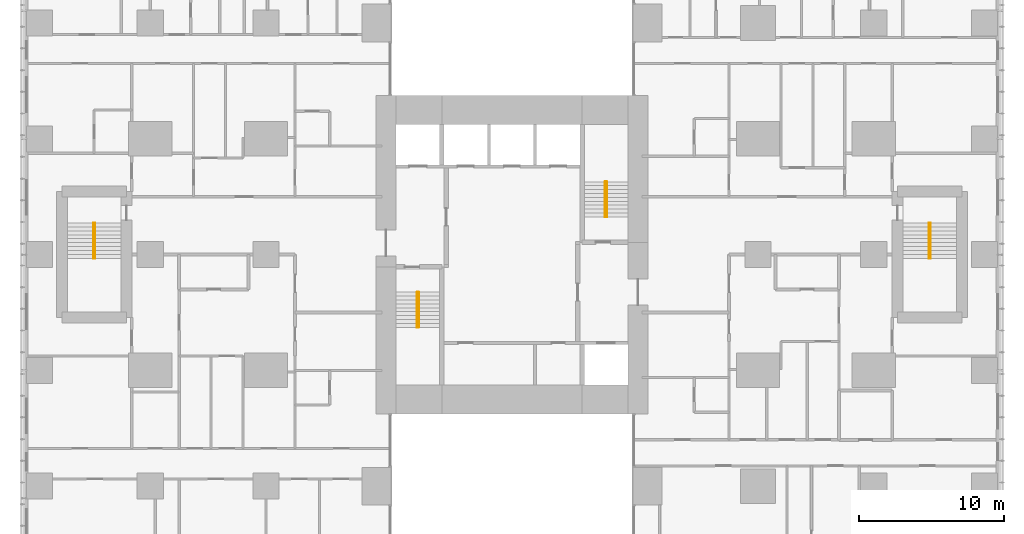
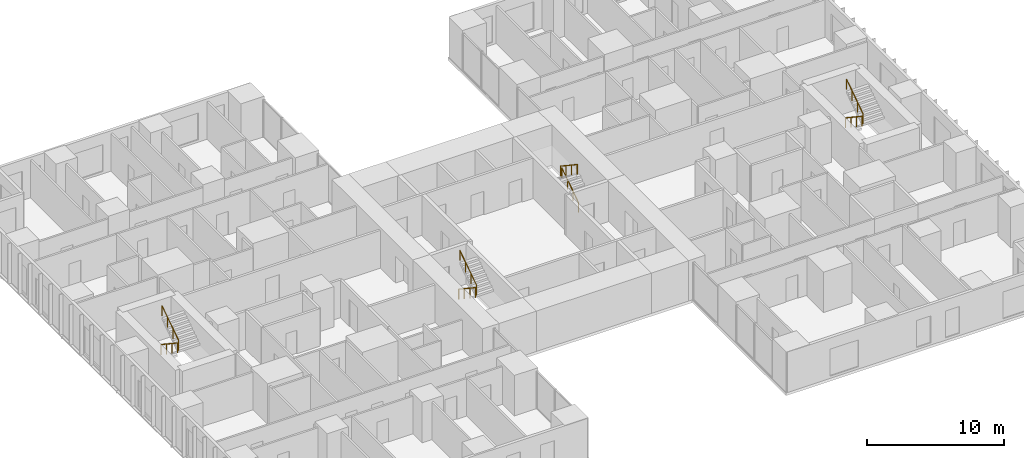
# One storey, part 20 of 20: 8 railings.
"""IFC4 building model written with IfcOpenShell, lengths in metres."""

from ifc_helpers import new_model, si_unit, direction, frame, origin, origin_2d, place, context, subcontext, project, spatial, circle, extrude, material, type_object, element, save


model = new_model("IFC4")

# Units and contexts
model_context = context("Model", 3, precision=1e-05, world=origin(), true_north=direction((0.0, 1.0)))
body_context = subcontext(model_context, "Body", "Model", "MODEL_VIEW")
ifc_project = project(units=[si_unit("LENGTHUNIT", "METRE"), si_unit("AREAUNIT", "SQUARE_METRE"), si_unit("VOLUMEUNIT", "CUBIC_METRE"), si_unit("PLANEANGLEUNIT", "RADIAN"), si_unit("MASSUNIT", "GRAM", prefix="KILO")], contexts=[model_context])

# Site, building, storey
site_placement = place(None, origin())
site = spatial("IfcSite", under=ifc_project, at=site_placement, CompositionType="ELEMENT")
building_placement = place(site_placement, origin())
building = spatial("IfcBuilding", under=site, at=building_placement, Name="Cleftline Residences", CompositionType="ELEMENT")
storey_placement = place(building_placement, frame((0.0, 0.0, 203.800048828125)))
storey = spatial("IfcBuildingStorey", under=building, at=storey_placement, Name="L53", CompositionType="ELEMENT", Elevation=203.800048828125)

# Railings
ifc_material = material(Name="Stainless steel", Category="steel")
railing_type = type_object("IfcRailingType", Name="HANDRAIL 900", PredefinedType="HANDRAIL", material=ifc_material)
railing_1_placement = place(storey_placement, frame((26.449951171875, 21.39990234375, 0.179931640625)))
element("IfcRailing", 1, at=railing_1_placement, inside=storey, type_object=railing_type, Name="Stair handrail", PredefinedType="HANDRAIL", context=body_context, shape_type="SweptSolid", body=[
    extrude(circle(Radius=0.02392578125, at=origin_2d()), frame((0.0, 0.0, 0.8759765625), z_axis=(0.0, -0.832024571796, 0.554738778101), x_axis=(1.0, 0.0, 0.0)), (0.0, 0.0, 1.0), 2.92041015625),
    extrude(circle(Radius=0.02099609375, at=origin_2d()), origin(), (0.0, 0.0, 1.0), 0.851806640625),
    extrude(circle(Radius=0.02099609375, at=origin_2d()), frame((0.0, -0.81005859375, 0.5400390625)), (0.0, 0.0, 1.0), 0.851806640625),
    extrude(circle(Radius=0.02099609375, at=origin_2d()), frame((0.0, -1.619873046875, 1.080078125)), (0.0, 0.0, 1.0), 0.851806640625),
    extrude(circle(Radius=0.02099609375, at=origin_2d()), frame((0.0, -2.429931640625, 1.6201171875)), (0.0, 0.0, 1.0), 0.851806640625),
])
railing_2_placement = place(storey_placement, frame((26.550048828125, 18.969970703125, 1.97998046875)))
element("IfcRailing", 2, at=railing_2_placement, inside=storey, type_object=railing_type, Name="Stair handrail", PredefinedType="HANDRAIL", context=body_context, shape_type="SweptSolid", body=[
    extrude(circle(Radius=0.02392578125, at=origin_2d()), frame((0.0, 0.0, 0.8759765625), z_axis=(0.0, 0.832063155534, 0.554680903946), x_axis=(-1.0, 0.0, 0.0)), (0.0, 0.0, 1.0), 2.92041015625),
    extrude(circle(Radius=0.02099609375, at=origin_2d()), origin(), (0.0, 0.0, 1.0), 0.851806640625),
    extrude(circle(Radius=0.02099609375, at=origin_2d()), frame((0.0, 0.81005859375, 0.5400390625)), (0.0, 0.0, 1.0), 0.851806640625),
    extrude(circle(Radius=0.02099609375, at=origin_2d()), frame((0.0, 1.619873046875, 1.079833984375)), (0.0, 0.0, 1.0), 0.851806640625),
    extrude(circle(Radius=0.02099609375, at=origin_2d()), frame((0.0, 2.429931640625, 1.619873046875)), (0.0, 0.0, 1.0), 0.851806640625),
])
railing_3_placement = place(storey_placement, frame((39.550048828125, 26.60009765625, 0.179931640625)))
element("IfcRailing", 3, at=railing_3_placement, inside=storey, type_object=railing_type, Name="Stair handrail", PredefinedType="HANDRAIL", context=body_context, shape_type="SweptSolid", body=[
    extrude(circle(Radius=0.02392578125, at=origin_2d()), frame((0.0, 0.0, 0.8759765625), z_axis=(0.0, 0.832024571796, 0.554738778101), x_axis=(-1.0, 0.0, 0.0)), (0.0, 0.0, 1.0), 2.92041015625),
    extrude(circle(Radius=0.02099609375, at=origin_2d()), origin(), (0.0, 0.0, 1.0), 0.851806640625),
    extrude(circle(Radius=0.02099609375, at=origin_2d()), frame((0.0, 0.81005859375, 0.5400390625)), (0.0, 0.0, 1.0), 0.851806640625),
    extrude(circle(Radius=0.02099609375, at=origin_2d()), frame((0.0, 1.619873046875, 1.080078125)), (0.0, 0.0, 1.0), 0.851806640625),
    extrude(circle(Radius=0.02099609375, at=origin_2d()), frame((0.0, 2.429931640625, 1.6201171875)), (0.0, 0.0, 1.0), 0.851806640625),
])
railing_4_placement = place(storey_placement, frame((39.449951171875, 29.030029296875, 1.97998046875)))
element("IfcRailing", 4, at=railing_4_placement, inside=storey, type_object=railing_type, Name="Stair handrail", PredefinedType="HANDRAIL", context=body_context, shape_type="SweptSolid", body=[
    extrude(circle(Radius=0.02392578125, at=origin_2d()), frame((0.0, 0.0, 0.8759765625), z_axis=(0.0, -0.832063155534, 0.554680903946), x_axis=(1.0, 0.0, 0.0)), (0.0, 0.0, 1.0), 2.92041015625),
    extrude(circle(Radius=0.02099609375, at=origin_2d()), origin(), (0.0, 0.0, 1.0), 0.851806640625),
    extrude(circle(Radius=0.02099609375, at=origin_2d()), frame((0.0, -0.81005859375, 0.5400390625)), (0.0, 0.0, 1.0), 0.851806640625),
    extrude(circle(Radius=0.02099609375, at=origin_2d()), frame((0.0, -1.619873046875, 1.079833984375)), (0.0, 0.0, 1.0), 0.851806640625),
    extrude(circle(Radius=0.02099609375, at=origin_2d()), frame((0.0, -2.429931640625, 1.619873046875)), (0.0, 0.0, 1.0), 0.851806640625),
])
railing_5_placement = place(storey_placement, frame((61.824951171875, 26.175048828125, 0.179931640625)))
element("IfcRailing", 5, at=railing_5_placement, inside=storey, type_object=railing_type, Name="Stair handrail", PredefinedType="HANDRAIL", context=body_context, shape_type="SweptSolid", body=[
    extrude(circle(Radius=0.02392578125, at=origin_2d()), frame((0.0, 0.0, 0.8759765625), z_axis=(0.0, -0.832024571796, 0.554738778101), x_axis=(1.0, 0.0, 0.0)), (0.0, 0.0, 1.0), 2.92041015625),
    extrude(circle(Radius=0.02099609375, at=origin_2d()), origin(), (0.0, 0.0, 1.0), 0.851806640625),
    extrude(circle(Radius=0.02099609375, at=origin_2d()), frame((0.0, -0.81005859375, 0.5400390625)), (0.0, 0.0, 1.0), 0.851806640625),
    extrude(circle(Radius=0.02099609375, at=origin_2d()), frame((0.0, -1.619873046875, 1.080078125)), (0.0, 0.0, 1.0), 0.851806640625),
    extrude(circle(Radius=0.02099609375, at=origin_2d()), frame((0.0, -2.429931640625, 1.6201171875)), (0.0, 0.0, 1.0), 0.851806640625),
])
railing_6_placement = place(storey_placement, frame((61.925048828125, 23.7451171875, 1.97998046875)))
element("IfcRailing", 6, at=railing_6_placement, inside=storey, type_object=railing_type, Name="Stair handrail", PredefinedType="HANDRAIL", context=body_context, shape_type="SweptSolid", body=[
    extrude(circle(Radius=0.02392578125, at=origin_2d()), frame((0.0, 0.0, 0.8759765625), z_axis=(0.0, 0.832063155534, 0.554680903946), x_axis=(-1.0, 0.0, 0.0)), (0.0, 0.0, 1.0), 2.92041015625),
    extrude(circle(Radius=0.02099609375, at=origin_2d()), origin(), (0.0, 0.0, 1.0), 0.851806640625),
    extrude(circle(Radius=0.02099609375, at=origin_2d()), frame((0.0, 0.81005859375, 0.5400390625)), (0.0, 0.0, 1.0), 0.851806640625),
    extrude(circle(Radius=0.02099609375, at=origin_2d()), frame((0.0, 1.619873046875, 1.079833984375)), (0.0, 0.0, 1.0), 0.851806640625),
    extrude(circle(Radius=0.02099609375, at=origin_2d()), frame((0.0, 2.429931640625, 1.619873046875)), (0.0, 0.0, 1.0), 0.851806640625),
])
railing_7_placement = place(storey_placement, frame((4.074951171875, 26.175048828125, 0.179931640625)))
element("IfcRailing", 7, at=railing_7_placement, inside=storey, type_object=railing_type, Name="Stair handrail", PredefinedType="HANDRAIL", context=body_context, shape_type="SweptSolid", body=[
    extrude(circle(Radius=0.02392578125, at=origin_2d()), frame((0.0, 0.0, 0.8759765625), z_axis=(0.0, -0.832024571796, 0.554738778101), x_axis=(1.0, 0.0, 0.0)), (0.0, 0.0, 1.0), 2.92041015625),
    extrude(circle(Radius=0.02099609375, at=origin_2d()), origin(), (0.0, 0.0, 1.0), 0.851806640625),
    extrude(circle(Radius=0.02099609375, at=origin_2d()), frame((0.0, -0.81005859375, 0.5400390625)), (0.0, 0.0, 1.0), 0.851806640625),
    extrude(circle(Radius=0.02099609375, at=origin_2d()), frame((0.0, -1.619873046875, 1.080078125)), (0.0, 0.0, 1.0), 0.851806640625),
    extrude(circle(Radius=0.02099609375, at=origin_2d()), frame((0.0, -2.429931640625, 1.6201171875)), (0.0, 0.0, 1.0), 0.851806640625),
])
railing_8_placement = place(storey_placement, frame((4.175048828125, 23.7451171875, 1.97998046875)))
element("IfcRailing", 8, at=railing_8_placement, inside=storey, type_object=railing_type, Name="Stair handrail", PredefinedType="HANDRAIL", context=body_context, shape_type="SweptSolid", body=[
    extrude(circle(Radius=0.02392578125, at=origin_2d()), frame((0.0, 0.0, 0.8759765625), z_axis=(0.0, 0.832063155534, 0.554680903946), x_axis=(-1.0, 0.0, 0.0)), (0.0, 0.0, 1.0), 2.92041015625),
    extrude(circle(Radius=0.02099609375, at=origin_2d()), origin(), (0.0, 0.0, 1.0), 0.851806640625),
    extrude(circle(Radius=0.02099609375, at=origin_2d()), frame((0.0, 0.81005859375, 0.5400390625)), (0.0, 0.0, 1.0), 0.851806640625),
    extrude(circle(Radius=0.02099609375, at=origin_2d()), frame((0.0, 1.619873046875, 1.079833984375)), (0.0, 0.0, 1.0), 0.851806640625),
    extrude(circle(Radius=0.02099609375, at=origin_2d()), frame((0.0, 2.429931640625, 1.619873046875)), (0.0, 0.0, 1.0), 0.851806640625),
])

save(model, "model.ifc")
